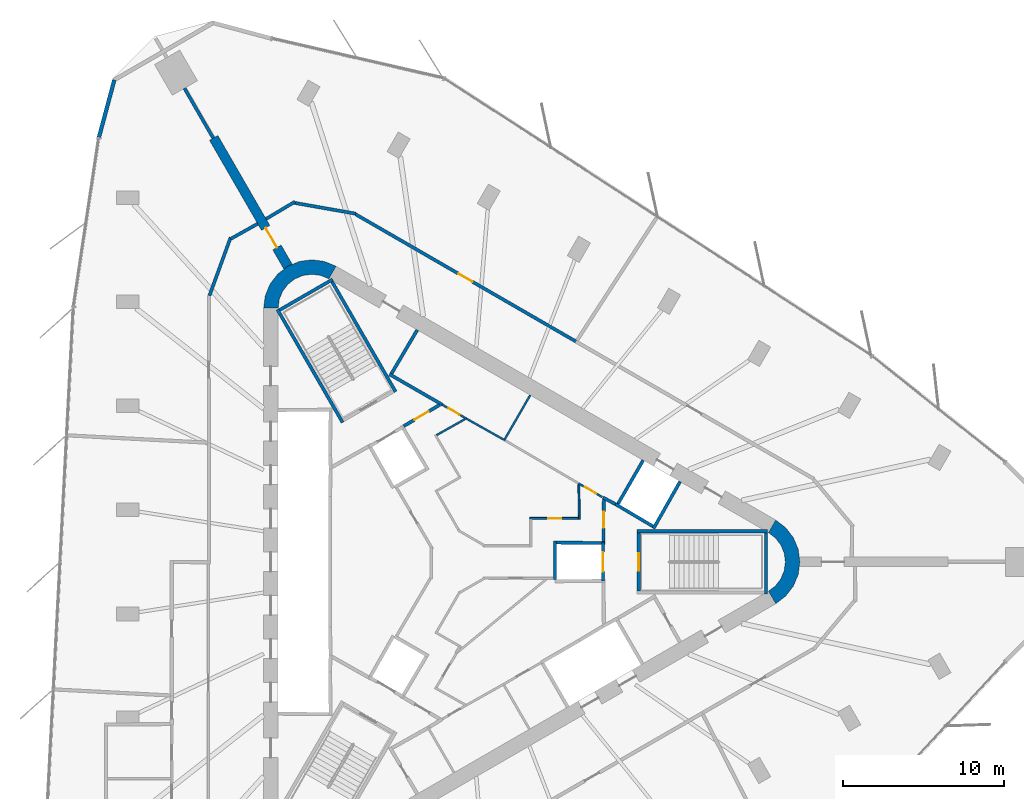
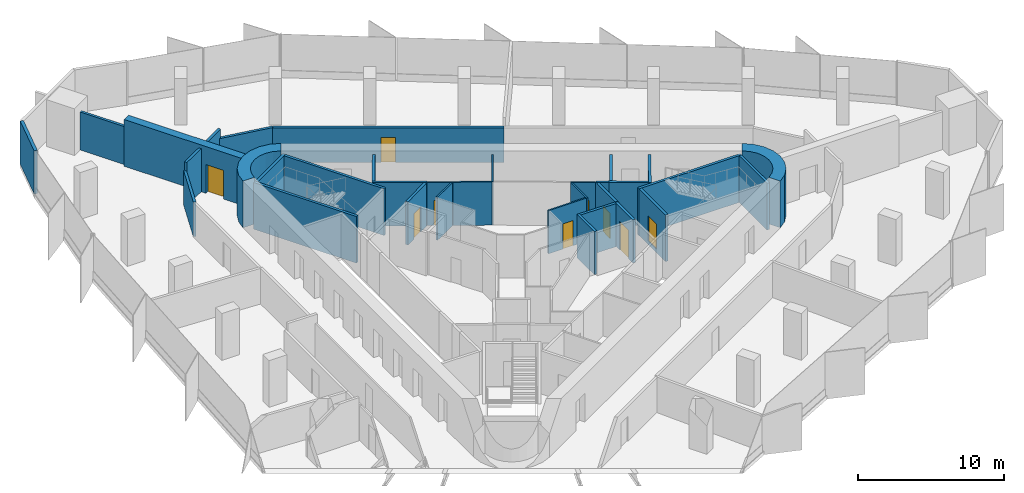
# One storey, part 11 of 13: 34 walls, 9 doors, 9 openings.
"""IFC4 building model written with IfcOpenShell, lengths in metres."""

from ifc_helpers import new_model, si_unit, direction, frame, frame_2d, origin, place, context, subcontext, project, spatial, polyline, rectangle, outline, extrude, material, layer, layer_set, type_object, element, fill, save


model = new_model("IFC4")

# Units and contexts
model_context = context("Model", 3, precision=1e-05, world=origin(), true_north=direction((0.0, 1.0)))
body_context = subcontext(model_context, "Body", "Model", "MODEL_VIEW")
ifc_project = project(units=[si_unit("LENGTHUNIT", "METRE"), si_unit("AREAUNIT", "SQUARE_METRE"), si_unit("VOLUMEUNIT", "CUBIC_METRE"), si_unit("PLANEANGLEUNIT", "RADIAN"), si_unit("MASSUNIT", "GRAM", prefix="KILO")], contexts=[model_context])

# Site, building, storey
site_placement = place(None, origin())
site = spatial("IfcSite", under=ifc_project, at=site_placement, CompositionType="ELEMENT")
building_placement = place(site_placement, origin())
building = spatial("IfcBuilding", under=site, at=building_placement, Name="Tanit Gate Tower", CompositionType="ELEMENT")
storey_placement = place(building_placement, frame((0.0, 0.0, 318.199951171875)))
storey = spatial("IfcBuildingStorey", under=building, at=storey_placement, Name="L71", CompositionType="ELEMENT", Elevation=318.199951171875)

# Wall, opening, door
ifc_material_1 = material(Name="Concrete C40/50", Category="concrete")
ifc_layer_1 = layer(ifc_material_1, 0.60009765625)
ifc_layer_set_1 = layer_set([ifc_layer_1], Name="BUTTRESS FIN 600 C40/50")
wall_type_1 = type_object("IfcWallType", Name="BUTTRESS FIN 600 C40/50", PredefinedType="SHEAR", material=ifc_layer_set_1)
wall_1_placement = place(storey_placement, frame((-10.574951171875, 18.31640625, 0.0), z_axis=(0.0, 0.0, 1.0), x_axis=(-0.500009446655, 0.866019949687, 0.0)))
wall_1 = element("IfcWall", 1, at=wall_1_placement, inside=storey, type_object=wall_type_1, Name="BUTTRESS FIN", PredefinedType="SHEAR", context=body_context, shape_type="SweptSolid", body=[
    extrude(rectangle(XDim=9.253662109375, YDim=0.60009765625, at=frame_2d((4.626953125, 0.0))), origin(), (0.0, 0.0, 1.0), 3.900146484375),
])
opening_1_placement = place(wall_1_placement, frame((1.39990234375, 0.0, 0.0)))
opening_1 = element("IfcOpeningElement", 2, at=opening_1_placement, cuts=wall_1, Name="Opening P14-S19-F-NW-1", PredefinedType="OPENING", context=body_context, shape_type="SweptSolid", body=[
    extrude(rectangle(XDim=1.39990234375, YDim=2.39990234375, at=frame_2d((0.699951171875, 1.199951171875))), frame((0.0, 0.31005859375, 0.0), z_axis=(0.0, -1.0, 0.0), x_axis=(1.0, 0.0, 0.0)), (0.0, 0.0, 1.0), 0.6201171875),
])
ifc_material_2 = material(Name="Timber door leaf", Category="wood")
door_type_1 = type_object("IfcDoorType", Name="INT-DOOR-FIN-PAIR-1400", OperationType="NOTDEFINED", PredefinedType="NOTDEFINED", material=ifc_material_2)
door_1_placement = place(opening_1_placement, origin())
door_1 = element("IfcDoor", 3, at=door_1_placement, inside=storey, type_object=door_type_1, Name="Door P14-S19-F-NW-1", OperationType="DOUBLE_DOOR_SINGLE_SWING", OverallHeight=2.39990234375, OverallWidth=1.39990234375, PredefinedType="NOTDEFINED", context=body_context, shape_type="SweptSolid", body=[
    extrude(rectangle(XDim=1.39990234375, YDim=2.39990234375, at=frame_2d((0.699951171875, 1.199951171875))), frame((0.0, 0.02490234375, 0.0), z_axis=(0.0, -1.0, 0.0), x_axis=(1.0, 0.0, 0.0)), (0.0, 0.0, 1.0), 0.050048828125),
])
fill(opening_1, door_1)

# Walls
ifc_material_3 = material(Name="Concrete C40/50", Category="concrete")
ifc_layer_2 = layer(ifc_material_3, 0.89990234375)
ifc_layer_set_2 = layer_set([ifc_layer_2], Name="CORE WALL 900 C40/50")
wall_type_2 = type_object("IfcWallType", Name="CORE WALL 900 C40/50", PredefinedType="SHEAR", material=ifc_layer_set_2)
wall_2_placement = place(storey_placement, origin())
element("IfcWall", 4, at=wall_2_placement, inside=storey, type_object=wall_type_2, Name="CORE WALL CORNER", PredefinedType="SHEAR", context=body_context, shape_type="SweptSolid", body=[
    extrude(outline(polyline([(-7.60009765625, 18.359619140625), (-8.323486328125, 18.659423828125), (-9.10009765625, 18.76171875), (-9.87646484375, 18.659423828125), (-10.60009765625, 18.359619140625), (-11.22119140625, 17.883056640625), (-11.697998046875, 17.26171875), (-11.997802734375, 16.5380859375), (-12.10009765625, 15.76171875), (-11.199951171875, 15.76171875), (-11.12841796875, 16.30517578125), (-10.918701171875, 16.811767578125), (-10.5849609375, 17.24658203125), (-10.14990234375, 17.580322265625), (-9.6435546875, 17.7900390625), (-9.10009765625, 17.86181640625), (-8.556396484375, 17.7900390625), (-8.050048828125, 17.580322265625), (-7.60009765625, 18.359619140625)])), origin(), (0.0, 0.0, 1.0), 3.900146484375),
])
wall_3_placement = place(storey_placement, origin())
element("IfcWall", 5, at=wall_3_placement, inside=storey, type_object=wall_type_2, Name="CORE WALL CORNER", PredefinedType="SHEAR", context=body_context, shape_type="SweptSolid", body=[
    extrude(outline(polyline([(19.699951171875, -2.59814453125), (20.3212890625, -2.121337890625), (20.798095703125, -1.5), (21.097900390625, -0.776611328125), (21.199951171875, 0.0), (21.097900390625, 0.776611328125), (20.798095703125, 1.5), (20.3212890625, 2.121337890625), (19.699951171875, 2.59814453125), (19.25, 1.818603515625), (19.684814453125, 1.48486328125), (20.018798828125, 1.050048828125), (20.228515625, 0.54345703125), (20.300048828125, 0.0), (20.228515625, -0.54345703125), (20.018798828125, -1.050048828125), (19.684814453125, -1.48486328125), (19.25, -1.818603515625), (19.699951171875, -2.59814453125)])), origin(), (0.0, 0.0, 1.0), 3.900146484375),
])
ifc_material_4 = material(Name="Concrete C30/37 with bronze anodised aluminium cladding", Category="concrete")
ifc_layer_3 = layer(ifc_material_4, 0.239990234375)
ifc_layer_set_3 = layer_set([ifc_layer_3], Name="Facade wall bronze clad 240")
wall_type_3 = type_object("IfcWallType", Name="Facade wall bronze clad 240", PredefinedType="SOLIDWALL", material=ifc_layer_set_3)
wall_4_placement = place(storey_placement, frame((-21.375244140625, 29.930908203125, 0.0), z_axis=(0.0, 0.0, 1.0), x_axis=(-0.258772400119, -0.965938323568, 0.0)))
element("IfcWall", 6, at=wall_4_placement, inside=storey, type_object=wall_type_3, Name="Bronze-clad facade wall L71 NW.arc3", PredefinedType="SOLIDWALL", context=body_context, shape_type="SweptSolid", body=[
    extrude(rectangle(XDim=3.696533203125, YDim=0.239990234375, at=frame_2d((1.84814453125, 0.0))), origin(), (0.0, 0.0, 1.0), 3.60009765625),
])
ifc_material_5 = material(Name="Fire-rated gypsum board partition")
ifc_layer_4 = layer(ifc_material_5, 0.199951171875)
ifc_layer_set_4 = layer_set([ifc_layer_4], Name="INT-WALL-COMPARTMENT")
wall_type_4 = type_object("IfcWallType", Name="INT-WALL-COMPARTMENT", PredefinedType="PARTITIONING", material=ifc_layer_set_4)
wall_5_placement = place(storey_placement, frame((8.97412109375, 3.998779296875, 0.0), z_axis=(0.0, 0.0, 1.0), x_axis=(0.880917147855, -0.473270513147, 0.0)))
element("IfcWall", 7, at=wall_5_placement, inside=storey, type_object=wall_type_4, Name="Wall Compartment W045", PredefinedType="PARTITIONING", context=body_context, shape_type="SweptSolid", body=[
    extrude(rectangle(XDim=0.8779296875, YDim=0.199951171875, at=frame_2d((0.43896484375, 0.0))), origin(), (0.0, 0.0, 1.0), 3.60009765625),
])
wall_6_placement = place(storey_placement, frame((-4.295654296875, 11.659912109375, 0.0), z_axis=(0.0, 0.0, 1.0), x_axis=(0.866027389382, -0.499996560828, 0.0)))
element("IfcWall", 8, at=wall_6_placement, inside=storey, type_object=wall_type_4, Name="Wall Compartment W048", PredefinedType="PARTITIONING", context=body_context, shape_type="SweptSolid", body=[
    extrude(rectangle(XDim=3.77783203125, YDim=0.199951171875, at=frame_2d((1.888916015625, 0.0))), origin(), (0.0, 0.0, 1.0), 3.60009765625),
])
wall_7_placement = place(storey_placement, frame((-2.557861328125, 14.409423828125, 0.0), z_axis=(0.0, 0.0, 1.0), x_axis=(-0.508018930956, -0.861345903683, 0.0)))
element("IfcWall", 9, at=wall_7_placement, inside=storey, type_object=wall_type_4, Name="Wall Compartment W049", PredefinedType="PARTITIONING", context=body_context, shape_type="SweptSolid", body=[
    extrude(rectangle(XDim=3.150146484375, YDim=0.199951171875, at=frame_2d((1.5751953125, 0.0))), origin(), (0.0, 0.0, 1.0), 3.60009765625),
])

# Wall, opening, door
wall_8_placement = place(storey_placement, frame((9.0009765625, 1.27001953125, 0.0), z_axis=(0.0, 0.0, 1.0), x_axis=(0.010723968736, 0.999942496594, 0.0)))
wall_8 = element("IfcWall", 10, at=wall_8_placement, inside=storey, type_object=wall_type_4, Name="Wall Compartment W063", PredefinedType="PARTITIONING", context=body_context, shape_type="SweptSolid", body=[
    extrude(rectangle(XDim=2.709228515625, YDim=0.199951171875, at=frame_2d((1.3544921875, 0.0))), origin(), (0.0, 0.0, 1.0), 3.60009765625),
])
opening_2_placement = place(wall_8_placement, frame((0.848388671875, 0.0, 0.0)))
opening_2 = element("IfcOpeningElement", 11, at=opening_2_placement, cuts=wall_8, Name="Opening F10-S19-02", PredefinedType="OPENING", context=body_context, shape_type="SweptSolid", body=[
    extrude(rectangle(XDim=1.0, YDim=2.10009765625, at=frame_2d((0.5, 1.050048828125))), frame((0.0, 0.10986328125, 0.0), z_axis=(0.0, -1.0, 0.0), x_axis=(1.0, 0.0, 0.0)), (0.0, 0.0, 1.0), 0.219970703125),
])
ifc_material_6 = material(Name="Fire-rated steel door leaf", Category="steel")
door_type_2 = type_object("IfcDoorType", Name="INT-DOOR-FIRE-1000", OperationType="NOTDEFINED", PredefinedType="USERDEFINED", material=ifc_material_6)
door_2_placement = place(opening_2_placement, origin())
door_2 = element("IfcDoor", 12, at=door_2_placement, inside=storey, type_object=door_type_2, Name="Door F10-S19-02", ObjectType="FIRE DOOR", OperationType="SINGLE_SWING_RIGHT", OverallHeight=2.10009765625, OverallWidth=1.0, PredefinedType="USERDEFINED", context=body_context, shape_type="SweptSolid", body=[
    extrude(rectangle(XDim=1.0, YDim=2.10009765625, at=frame_2d((0.5, 1.050048828125))), frame((0.0, 0.02490234375, 0.0), z_axis=(0.0, -1.0, 0.0), x_axis=(1.0, 0.0, 0.0)), (0.0, 0.0, 1.0), 0.050048828125),
])
fill(opening_2, door_2)

wall_9_placement = place(storey_placement, frame((-1.1787109375, 9.744873046875, 0.0), z_axis=(0.0, 0.0, 1.0), x_axis=(-0.860630814782, -0.509229418482, 0.0)))
wall_9 = element("IfcWall", 13, at=wall_9_placement, inside=storey, type_object=wall_type_4, Name="Wall Compartment W065", PredefinedType="PARTITIONING", context=body_context, shape_type="SweptSolid", body=[
    extrude(rectangle(XDim=2.581787109375, YDim=0.199951171875, at=frame_2d((1.291015625, 0.0))), origin(), (0.0, 0.0, 1.0), 3.60009765625),
])
opening_3_placement = place(wall_9_placement, frame((0.791015625, 0.0, 0.0)))
opening_3 = element("IfcOpeningElement", 14, at=opening_3_placement, cuts=wall_9, Name="Opening F10-S19-05", PredefinedType="OPENING", context=body_context, shape_type="SweptSolid", body=[
    extrude(rectangle(XDim=1.0, YDim=2.10009765625, at=frame_2d((0.5, 1.050048828125))), frame((0.0, 0.10986328125, 0.0), z_axis=(0.0, -1.0, 0.0), x_axis=(1.0, 0.0, 0.0)), (0.0, 0.0, 1.0), 0.219970703125),
])
door_3_placement = place(opening_3_placement, origin())
door_3 = element("IfcDoor", 15, at=door_3_placement, inside=storey, type_object=door_type_2, Name="Door F10-S19-05", ObjectType="FIRE DOOR", OperationType="SINGLE_SWING_RIGHT", OverallHeight=2.10009765625, OverallWidth=1.0, PredefinedType="USERDEFINED", context=body_context, shape_type="SweptSolid", body=[
    extrude(rectangle(XDim=1.0, YDim=2.10009765625, at=frame_2d((0.5, 1.050048828125))), frame((0.0, 0.02490234375, 0.0), z_axis=(0.0, -1.0, 0.0), x_axis=(1.0, 0.0, 0.0)), (0.0, 0.0, 1.0), 0.050048828125),
])
fill(opening_3, door_3)

# Walls
wall_10_placement = place(storey_placement, frame((-14.15234375, 20.143310546875, 0.0), z_axis=(0.0, 0.0, 1.0), x_axis=(-0.342008467257, -0.939696870445, 0.0)))
element("IfcWall", 16, at=wall_10_placement, inside=storey, type_object=wall_type_4, Name="Wall Compartment W102", PredefinedType="PARTITIONING", context=body_context, shape_type="SweptSolid", body=[
    extrude(rectangle(XDim=3.840576171875, YDim=0.199951171875, at=frame_2d((1.92041015625, 0.0))), origin(), (0.0, 0.0, 1.0), 2.880126953125),
])
wall_11_placement = place(storey_placement, frame((-12.469970703125, 20.99853515625, 0.0), z_axis=(0.0, 0.0, 1.0), x_axis=(-0.872542788959, -0.488537697046, 0.0)))
element("IfcWall", 17, at=wall_11_placement, inside=storey, type_object=wall_type_4, Name="Wall Compartment W103", PredefinedType="PARTITIONING", context=body_context, shape_type="SweptSolid", body=[
    extrude(rectangle(XDim=1.924560546875, YDim=0.199951171875, at=frame_2d((0.96240234375, 0.0))), origin(), (0.0, 0.0, 1.0), 3.60009765625),
])
wall_12_placement = place(storey_placement, frame((-10.154541015625, 22.3671875, 0.0), z_axis=(0.0, 0.0, 1.0), x_axis=(-0.859343009577, -0.511399640097, 0.0)))
element("IfcWall", 18, at=wall_12_placement, inside=storey, type_object=wall_type_4, Name="Wall Compartment W104", PredefinedType="PARTITIONING", context=body_context, shape_type="SweptSolid", body=[
    extrude(rectangle(XDim=2.089599609375, YDim=0.199951171875, at=frame_2d((1.044921875, 0.0))), origin(), (0.0, 0.0, 1.0), 3.60009765625),
])
wall_13_placement = place(storey_placement, frame((-6.389404296875, 21.626220703125, 0.0), z_axis=(0.0, 0.0, 1.0), x_axis=(-0.984802578286, 0.173677522442, 0.0)))
element("IfcWall", 19, at=wall_13_placement, inside=storey, type_object=wall_type_4, Name="Wall Compartment W105", PredefinedType="PARTITIONING", context=body_context, shape_type="SweptSolid", body=[
    extrude(rectangle(XDim=3.87548828125, YDim=0.199951171875, at=frame_2d((1.937744140625, 0.0))), origin(), (0.0, 0.0, 1.0), 2.880126953125),
])

# Wall, opening, door
wall_14_placement = place(storey_placement, frame((7.2890625, 13.689453125, 0.0), z_axis=(0.0, 0.0, 1.0), x_axis=(-0.866022017938, 0.500005864412, 0.0)))
wall_14 = element("IfcWall", 20, at=wall_14_placement, inside=storey, type_object=wall_type_4, Name="Wall Compartment W106", PredefinedType="PARTITIONING", context=body_context, shape_type="SweptSolid", body=[
    extrude(rectangle(XDim=15.808349609375, YDim=0.199951171875, at=frame_2d((7.904296875, 0.0))), origin(), (0.0, 0.0, 1.0), 2.880126953125),
])
opening_4_placement = place(wall_14_placement, frame((7.404296875, 0.0, 0.0)))
opening_4 = element("IfcOpeningElement", 21, at=opening_4_placement, cuts=wall_14, Name="Opening F10-S19-28", PredefinedType="OPENING", context=body_context, shape_type="SweptSolid", body=[
    extrude(rectangle(XDim=1.0, YDim=2.10009765625, at=frame_2d((0.5, 1.050048828125))), frame((0.0, 0.10986328125, 0.0), z_axis=(0.0, -1.0, 0.0), x_axis=(1.0, 0.0, 0.0)), (0.0, 0.0, 1.0), 0.219970703125),
])
door_4_placement = place(opening_4_placement, origin())
door_4 = element("IfcDoor", 22, at=door_4_placement, inside=storey, type_object=door_type_2, Name="Door F10-S19-28", ObjectType="FIRE DOOR", OperationType="SINGLE_SWING_RIGHT", OverallHeight=2.10009765625, OverallWidth=1.0, PredefinedType="USERDEFINED", context=body_context, shape_type="SweptSolid", body=[
    extrude(rectangle(XDim=1.0, YDim=2.10009765625, at=frame_2d((0.5, 1.050048828125))), frame((0.0, 0.02490234375, 0.0), z_axis=(0.0, -1.0, 0.0), x_axis=(1.0, 0.0, 0.0)), (0.0, 0.0, 1.0), 0.050048828125),
])
fill(opening_4, door_4)

# Walls
wall_15_placement = place(storey_placement, frame((-17.017333984375, 29.4150390625, 0.0), z_axis=(0.0, 0.0, 1.0), x_axis=(0.49999800388, -0.866026556242, 0.0)))
element("IfcWall", 23, at=wall_15_placement, inside=storey, type_object=wall_type_4, Name="Wall Compartment W131", PredefinedType="PARTITIONING", context=body_context, shape_type="SweptSolid", body=[
    extrude(rectangle(XDim=3.5791015625, YDim=0.199951171875, at=frame_2d((1.78955078125, 0.0))), origin(), (0.0, 0.0, 1.0), 3.170166015625),
])
ifc_material_7 = material(Name="Gypsum board partition")
ifc_layer_5 = layer(ifc_material_7, 0.1201171875)
ifc_layer_set_5 = layer_set([ifc_layer_5], Name="INT-WALL-PARTITION")
wall_type_5 = type_object("IfcWallType", Name="INT-WALL-PARTITION", PredefinedType="PARTITIONING", material=ifc_layer_set_5)
wall_16_placement = place(storey_placement, frame((4.456787109375, 10.359375, 0.0), z_axis=(0.0, 0.0, 1.0), x_axis=(-0.500017246033, -0.866015446554, 0.0)))
element("IfcWall", 24, at=wall_16_placement, inside=storey, type_object=wall_type_5, Name="Wall Partition W044", PredefinedType="PARTITIONING", context=body_context, shape_type="SweptSolid", body=[
    extrude(rectangle(XDim=3.25, YDim=0.1201171875, at=frame_2d((1.625, 0.0))), origin(), (0.0, 0.0, 1.0), 3.60009765625),
])

# Wall, opening, door
wall_17_placement = place(storey_placement, frame((-1.02392578125, 9.77099609375, 0.0), z_axis=(0.0, 0.0, 1.0), x_axis=(0.866039397417, -0.499975761534, 0.0)))
wall_17 = element("IfcWall", 25, at=wall_17_placement, inside=storey, type_object=wall_type_5, Name="Wall Partition W051", PredefinedType="PARTITIONING", context=body_context, shape_type="SweptSolid", body=[
    extrude(rectangle(XDim=1.751953125, YDim=0.1201171875, at=frame_2d((0.8759765625, 0.0))), origin(), (0.0, 0.0, 1.0), 3.60009765625),
])
opening_5_placement = place(wall_17_placement, frame((0.4658203125, 0.0, 0.0)))
opening_5 = element("IfcOpeningElement", 26, at=opening_5_placement, cuts=wall_17, Name="Opening R08-S19-15", PredefinedType="OPENING", context=body_context, shape_type="SweptSolid", body=[
    extrude(rectangle(XDim=0.800048828125, YDim=2.10009765625, at=frame_2d((0.39990234375, 1.050048828125))), frame((0.0, 0.070068359375, 0.0), z_axis=(0.0, -1.0, 0.0), x_axis=(1.0, 0.0, 0.0)), (0.0, 0.0, 1.0), 0.14013671875),
])
ifc_material_8 = material(Name="Timber door leaf", Category="wood")
door_type_3 = type_object("IfcDoorType", Name="INT-DOOR-RISER-800", OperationType="NOTDEFINED", PredefinedType="USERDEFINED", material=ifc_material_8)
door_5_placement = place(opening_5_placement, origin())
door_5 = element("IfcDoor", 27, at=door_5_placement, inside=storey, type_object=door_type_3, Name="Door R08-S19-15", ObjectType="FIRE DOOR", OperationType="SINGLE_SWING_RIGHT", OverallHeight=2.10009765625, OverallWidth=0.800048828125, PredefinedType="USERDEFINED", context=body_context, shape_type="SweptSolid", body=[
    extrude(rectangle(XDim=0.800048828125, YDim=2.10009765625, at=frame_2d((0.39990234375, 1.050048828125))), frame((0.0, 0.02490234375, 0.0), z_axis=(0.0, -1.0, 0.0), x_axis=(1.0, 0.0, 0.0)), (0.0, 0.0, 1.0), 0.050048828125),
])
fill(opening_5, door_5)

wall_18_placement = place(storey_placement, frame((7.45654296875, 4.874755859375, 0.0), z_axis=(0.0, 0.0, 1.0), x_axis=(0.866027945518, -0.499995597562, 0.0)))
wall_18 = element("IfcWall", 28, at=wall_18_placement, inside=storey, type_object=wall_type_5, Name="Wall Partition W047", PredefinedType="PARTITIONING", context=body_context, shape_type="SweptSolid", body=[
    extrude(rectangle(XDim=1.7021484375, YDim=0.1201171875, at=frame_2d((0.85107421875, 0.0))), origin(), (0.0, 0.0, 1.0), 3.60009765625),
])
opening_6_placement = place(wall_18_placement, frame((0.461181640625, 0.0, 0.0)))
opening_6 = element("IfcOpeningElement", 29, at=opening_6_placement, cuts=wall_18, Name="Opening R08-S19-14", PredefinedType="OPENING", context=body_context, shape_type="SweptSolid", body=[
    extrude(rectangle(XDim=0.800048828125, YDim=2.10009765625, at=frame_2d((0.39990234375, 1.050048828125))), frame((0.0, 0.070068359375, 0.0), z_axis=(0.0, -1.0, 0.0), x_axis=(1.0, 0.0, 0.0)), (0.0, 0.0, 1.0), 0.14013671875),
])
door_6_placement = place(opening_6_placement, origin())
door_6 = element("IfcDoor", 30, at=door_6_placement, inside=storey, type_object=door_type_3, Name="Door R08-S19-14", ObjectType="FIRE DOOR", OperationType="SINGLE_SWING_LEFT", OverallHeight=2.10009765625, OverallWidth=0.800048828125, PredefinedType="USERDEFINED", context=body_context, shape_type="SweptSolid", body=[
    extrude(rectangle(XDim=0.800048828125, YDim=2.10009765625, at=frame_2d((0.39990234375, 1.050048828125))), frame((0.0, 0.02490234375, 0.0), z_axis=(0.0, -1.0, 0.0), x_axis=(1.0, 0.0, 0.0)), (0.0, 0.0, 1.0), 0.050048828125),
])
fill(opening_6, door_6)

# Walls
wall_19_placement = place(storey_placement, frame((2.82080078125, 7.5859375, 0.0), z_axis=(0.0, 0.0, 1.0), x_axis=(-0.871426548871, 0.490526013503, 0.0)))
element("IfcWall", 31, at=wall_19_placement, inside=storey, type_object=wall_type_5, Name="Wall Partition W050", PredefinedType="PARTITIONING", context=body_context, shape_type="SweptSolid", body=[
    extrude(rectangle(XDim=2.670166015625, YDim=0.1201171875, at=frame_2d((1.3349609375, 0.0))), origin(), (0.0, 0.0, 1.0), 3.60009765625),
])
wall_20_placement = place(storey_placement, frame((7.500732421875, 2.639892578125, 0.0), z_axis=(0.0, 0.0, 1.0), x_axis=(-0.01178388431, 0.999930567625, 0.0)))
element("IfcWall", 32, at=wall_20_placement, inside=storey, type_object=wall_type_5, Name="Wall Partition W080", PredefinedType="PARTITIONING", context=body_context, shape_type="SweptSolid", body=[
    extrude(rectangle(XDim=2.15478515625, YDim=0.1201171875, at=frame_2d((1.077392578125, 0.0))), origin(), (0.0, 0.0, 1.0), 3.60009765625),
])

# Wall, opening, door
wall_21_placement = place(storey_placement, frame((4.43994140625, 2.699951171875, 0.0), z_axis=(0.0, 0.0, 1.0), x_axis=(1.0, 0.0, 0.0)))
wall_21 = element("IfcWall", 33, at=wall_21_placement, inside=storey, type_object=wall_type_5, Name="Wall Partition W081", PredefinedType="PARTITIONING", context=body_context, shape_type="SweptSolid", body=[
    extrude(rectangle(XDim=3.0, YDim=0.1201171875, at=frame_2d((1.5, 0.0))), origin(), (0.0, 0.0, 1.0), 3.60009765625),
])
opening_7_placement = place(wall_21_placement, frame((1.1298828125, 0.0, 0.0)))
opening_7 = element("IfcOpeningElement", 34, at=opening_7_placement, cuts=wall_21, Name="Opening R08-S19-13", PredefinedType="OPENING", context=body_context, shape_type="SweptSolid", body=[
    extrude(rectangle(XDim=0.800048828125, YDim=2.10009765625, at=frame_2d((0.39990234375, 1.050048828125))), frame((0.0, 0.070068359375, 0.0), z_axis=(0.0, -1.0, 0.0), x_axis=(1.0, 0.0, 0.0)), (0.0, 0.0, 1.0), 0.14013671875),
])
door_7_placement = place(opening_7_placement, origin())
door_7 = element("IfcDoor", 35, at=door_7_placement, inside=storey, type_object=door_type_3, Name="Door R08-S19-13", ObjectType="FIRE DOOR", OperationType="SINGLE_SWING_RIGHT", OverallHeight=2.10009765625, OverallWidth=0.800048828125, PredefinedType="USERDEFINED", context=body_context, shape_type="SweptSolid", body=[
    extrude(rectangle(XDim=0.800048828125, YDim=2.10009765625, at=frame_2d((0.39990234375, 1.050048828125))), frame((0.0, 0.02490234375, 0.0), z_axis=(0.0, -1.0, 0.0), x_axis=(1.0, 0.0, 0.0)), (0.0, 0.0, 1.0), 0.050048828125),
])
fill(opening_7, door_7)

# Walls
wall_22_placement = place(storey_placement, frame((0.414306640625, 8.87109375, 0.0), z_axis=(0.0, 0.0, 1.0), x_axis=(-0.871809386997, -0.48984527429, 0.0)))
element("IfcWall", 36, at=wall_22_placement, inside=storey, type_object=wall_type_5, Name="Wall Partition W088", PredefinedType="PARTITIONING", context=body_context, shape_type="SweptSolid", body=[
    extrude(rectangle(XDim=2.034423828125, YDim=0.1201171875, at=frame_2d((1.01708984375, 0.0))), origin(), (0.0, 0.0, 1.0), 3.60009765625),
])
ifc_material_9 = material(Name="Gypsum shaft wall system")
ifc_layer_6 = layer(ifc_material_9, 0.199951171875)
ifc_layer_set_6 = layer_set([ifc_layer_6], Name="INT-WALL-SHAFT")
wall_type_6 = type_object("IfcWallType", Name="INT-WALL-SHAFT", PredefinedType="PLUMBINGWALL", material=ifc_layer_set_6)
wall_23_placement = place(storey_placement, frame((9.8466796875, 3.494873046875, 0.0), z_axis=(0.0, 0.0, 1.0), x_axis=(0.499984717929, 0.866034226713, 0.0)))
element("IfcWall", 37, at=wall_23_placement, inside=storey, type_object=wall_type_6, Name="Wall Shaft W012", PredefinedType="PLUMBINGWALL", context=body_context, shape_type="SweptSolid", body=[
    extrude(rectangle(XDim=3.25, YDim=0.199951171875, at=frame_2d((1.625, 0.0))), origin(), (0.0, 0.0, 1.0), 3.60009765625),
])
wall_24_placement = place(storey_placement, frame((12.10986328125, 2.07275390625, 0.0), z_axis=(0.0, 0.0, 1.0), x_axis=(0.49196600604, 0.870614408852, 0.0)))
element("IfcWall", 38, at=wall_24_placement, inside=storey, type_object=wall_type_6, Name="Wall Shaft W013", PredefinedType="PLUMBINGWALL", context=body_context, shape_type="SweptSolid", body=[
    extrude(rectangle(XDim=3.35009765625, YDim=0.199951171875, at=frame_2d((1.675048828125, 0.0))), origin(), (0.0, 0.0, 1.0), 3.60009765625),
])
wall_25_placement = place(storey_placement, frame((12.072998046875, 2.2109375, 0.0), z_axis=(0.0, 0.0, 1.0), x_axis=(-0.860414880418, 0.509594185166, 0.0)))
element("IfcWall", 39, at=wall_25_placement, inside=storey, type_object=wall_type_6, Name="Wall Shaft W014", PredefinedType="PLUMBINGWALL", context=body_context, shape_type="SweptSolid", body=[
    extrude(rectangle(XDim=2.7001953125, YDim=0.199951171875, at=frame_2d((1.35009765625, 0.0))), origin(), (0.0, 0.0, 1.0), 3.60009765625),
])

# Wall, opening, door
wall_26_placement = place(storey_placement, frame((8.969970703125, 1.199951171875, 0.0), z_axis=(0.0, 0.0, 1.0), x_axis=(0.0, -1.0, 0.0)))
wall_26 = element("IfcWall", 40, at=wall_26_placement, inside=storey, type_object=wall_type_6, Name="Wall Shaft W024", PredefinedType="PLUMBINGWALL", context=body_context, shape_type="SweptSolid", body=[
    extrude(rectangle(XDim=2.39990234375, YDim=0.199951171875, at=frame_2d((1.199951171875, 0.0))), origin(), (0.0, 0.0, 1.0), 3.60009765625),
])
opening_8_placement = place(wall_26_placement, frame((0.60009765625, 0.0, 0.0)))
opening_8 = element("IfcOpeningElement", 41, at=opening_8_placement, cuts=wall_26, Name="Opening LDFL1-L71", PredefinedType="OPENING", context=body_context, shape_type="SweptSolid", body=[
    extrude(rectangle(XDim=1.199951171875, YDim=2.39990234375, at=frame_2d((0.60009765625, 1.199951171875))), frame((0.0, 0.10986328125, 0.0), z_axis=(0.0, -1.0, 0.0), x_axis=(1.0, 0.0, 0.0)), (0.0, 0.0, 1.0), 0.219970703125),
])
ifc_material_10 = material(Name="Stainless steel sliding door leaf", Category="steel")
door_type_4 = type_object("IfcDoorType", Name="INT-DOOR-LANDING-1200", OperationType="NOTDEFINED", PredefinedType="USERDEFINED", material=ifc_material_10)
door_8_placement = place(opening_8_placement, origin())
door_8 = element("IfcDoor", 42, at=door_8_placement, inside=storey, type_object=door_type_4, Name="Door LDFL1-L71", ObjectType="LANDING DOOR", OperationType="SLIDING_TO_LEFT", OverallHeight=2.39990234375, OverallWidth=1.199951171875, PredefinedType="USERDEFINED", context=body_context, shape_type="SweptSolid", body=[
    extrude(rectangle(XDim=1.199951171875, YDim=2.39990234375, at=frame_2d((0.60009765625, 1.199951171875))), frame((0.0, 0.02490234375, 0.0), z_axis=(0.0, -1.0, 0.0), x_axis=(1.0, 0.0, 0.0)), (0.0, 0.0, 1.0), 0.050048828125),
])
fill(opening_8, door_8)

# Walls
wall_27_placement = place(storey_placement, frame((6.0, -1.089599609375, 0.0), z_axis=(0.0, 0.0, 1.0), x_axis=(0.0, 1.0, 0.0)))
element("IfcWall", 43, at=wall_27_placement, inside=storey, type_object=wall_type_6, Name="Wall Shaft W026", PredefinedType="PLUMBINGWALL", context=body_context, shape_type="SweptSolid", body=[
    extrude(rectangle(XDim=2.3896484375, YDim=0.199951171875, at=frame_2d((1.19482421875, 0.0))), origin(), (0.0, 0.0, 1.0), 3.60009765625),
])
wall_28_placement = place(storey_placement, frame((9.10009765625, 1.1689453125, 0.0), z_axis=(0.0, 0.0, 1.0), x_axis=(-0.99994990606, 0.010009264196, 0.0)))
element("IfcWall", 44, at=wall_28_placement, inside=storey, type_object=wall_type_6, Name="Wall Shaft W027", PredefinedType="PLUMBINGWALL", context=body_context, shape_type="SweptSolid", body=[
    extrude(rectangle(XDim=3.000244140625, YDim=0.199951171875, at=frame_2d((1.5, 0.0))), origin(), (0.0, 0.0, 1.0), 3.60009765625),
])
ifc_material_11 = material(Name="Concrete C40/50", Category="concrete")
ifc_layer_7 = layer(ifc_material_11, 0.199951171875)
ifc_layer_set_7 = layer_set([ifc_layer_7], Name="INT-WALL-STAIR")
wall_type_7 = type_object("IfcWallType", Name="INT-WALL-STAIR", PredefinedType="SHEAR", material=ifc_layer_set_7)
wall_29_placement = place(storey_placement, frame((19.199951171875, 1.89990234375, -0.300048828125), z_axis=(0.0, 0.0, 1.0), x_axis=(-1.0, 0.0, 0.0)))
element("IfcWall", 45, at=wall_29_placement, inside=storey, type_object=wall_type_7, Name="Wall Stair W020", PredefinedType="SHEAR", context=body_context, shape_type="SweptSolid", body=[
    extrude(rectangle(XDim=8.099853515625, YDim=0.199951171875, at=frame_2d((4.0498046875, 0.0))), origin(), (0.0, 0.0, 1.0), 3.900146484375),
])
wall_30_placement = place(storey_placement, frame((19.10009765625, -2.0, -0.300048828125), z_axis=(0.0, 0.0, 1.0), x_axis=(0.0, 1.0, 0.0)))
element("IfcWall", 46, at=wall_30_placement, inside=storey, type_object=wall_type_7, Name="Wall Stair W021", PredefinedType="SHEAR", context=body_context, shape_type="SweptSolid", body=[
    extrude(rectangle(XDim=3.800048828125, YDim=0.199951171875, at=frame_2d((1.89990234375, 0.0))), origin(), (0.0, 0.0, 1.0), 3.900146484375),
])

# Wall, opening, door
wall_31_placement = place(storey_placement, frame((11.199951171875, -1.800048828125, -0.300048828125), z_axis=(0.0, 0.0, 1.0), x_axis=(0.0, 1.0, 0.0)))
wall_31 = element("IfcWall", 47, at=wall_31_placement, inside=storey, type_object=wall_type_7, Name="Wall Stair W023", PredefinedType="SHEAR", context=body_context, shape_type="SweptSolid", body=[
    extrude(rectangle(XDim=3.60009765625, YDim=0.199951171875, at=frame_2d((1.800048828125, 0.0))), origin(), (0.0, 0.0, 1.0), 3.900146484375),
])
opening_9_placement = place(wall_31_placement, frame((1.25, 0.0, 0.300048828125)))
opening_9 = element("IfcOpeningElement", 48, at=opening_9_placement, cuts=wall_31, Name="Opening S11-S19-01", PredefinedType="OPENING", context=body_context, shape_type="SweptSolid", body=[
    extrude(rectangle(XDim=1.10009765625, YDim=2.10009765625, at=frame_2d((0.550048828125, 1.050048828125))), frame((0.0, 0.10986328125, 0.0), z_axis=(0.0, -1.0, 0.0), x_axis=(1.0, 0.0, 0.0)), (0.0, 0.0, 1.0), 0.219970703125),
])
ifc_material_12 = material(Name="Timber door leaf", Category="wood")
door_type_5 = type_object("IfcDoorType", Name="INT-DOOR-STAIR-1100", OperationType="NOTDEFINED", PredefinedType="USERDEFINED", material=ifc_material_12)
door_9_placement = place(opening_9_placement, origin())
door_9 = element("IfcDoor", 49, at=door_9_placement, inside=storey, type_object=door_type_5, Name="Door S11-S19-01", ObjectType="FIRE DOOR", OperationType="SINGLE_SWING_LEFT", OverallHeight=2.10009765625, OverallWidth=1.10009765625, PredefinedType="USERDEFINED", context=body_context, shape_type="SweptSolid", body=[
    extrude(rectangle(XDim=1.10009765625, YDim=2.10009765625, at=frame_2d((0.550048828125, 1.050048828125))), frame((0.0, 0.02490234375, 0.0), z_axis=(0.0, -1.0, 0.0), x_axis=(1.0, 0.0, 0.0)), (0.0, 0.0, 1.0), 0.050048828125),
])
fill(opening_9, door_9)

# Walls
wall_32_placement = place(storey_placement, frame((-11.245361328125, 15.677734375, -0.300048828125), z_axis=(0.0, 0.0, 1.0), x_axis=(0.499977274689, -0.866038523851, 0.0)))
element("IfcWall", 50, at=wall_32_placement, inside=storey, type_object=wall_type_7, Name="Wall Stair W028", PredefinedType="SHEAR", context=body_context, shape_type="SweptSolid", body=[
    extrude(rectangle(XDim=8.10009765625, YDim=0.199951171875, at=frame_2d((4.050048828125, 0.0))), origin(), (0.0, 0.0, 1.0), 3.900146484375),
])
wall_33_placement = place(storey_placement, frame((-7.81787109375, 17.541015625, -0.300048828125), z_axis=(0.0, 0.0, 1.0), x_axis=(-0.866044365799, -0.499967155389, 0.0)))
element("IfcWall", 51, at=wall_33_placement, inside=storey, type_object=wall_type_7, Name="Wall Stair W029", PredefinedType="SHEAR", context=body_context, shape_type="SweptSolid", body=[
    extrude(rectangle(XDim=3.800048828125, YDim=0.199951171875, at=frame_2d((1.89990234375, 0.0))), origin(), (0.0, 0.0, 1.0), 3.900146484375),
])
wall_34_placement = place(storey_placement, frame((-7.8544921875, 17.404541015625, -0.300048828125), z_axis=(0.0, 0.0, 1.0), x_axis=(0.499997992926, -0.866026562566, 0.0)))
element("IfcWall", 52, at=wall_34_placement, inside=storey, type_object=wall_type_7, Name="Wall Stair W030", PredefinedType="SHEAR", context=body_context, shape_type="SweptSolid", body=[
    extrude(rectangle(XDim=7.89990234375, YDim=0.199951171875, at=frame_2d((3.949951171875, 0.0))), origin(), (0.0, 0.0, 1.0), 3.900146484375),
])

save(model, "model.ifc")
